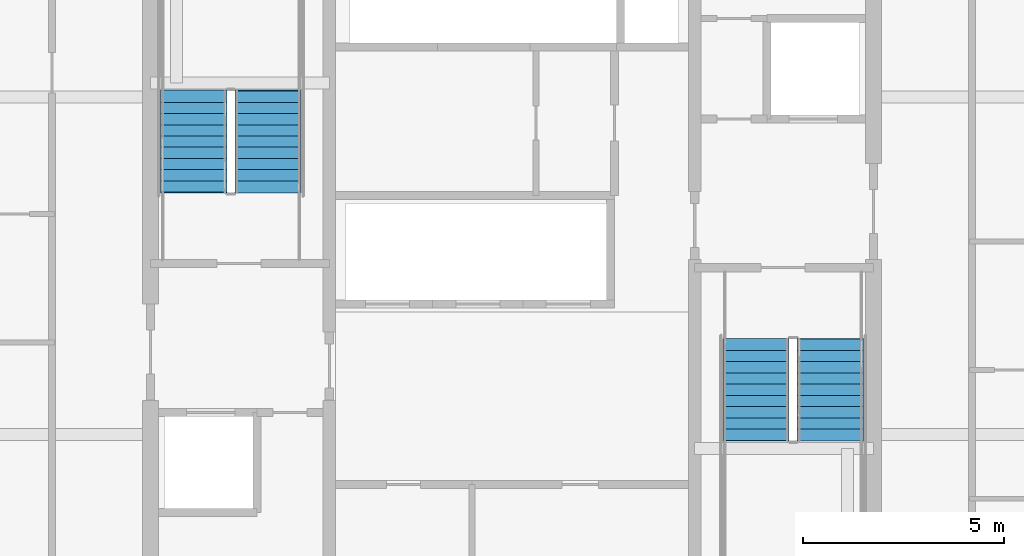
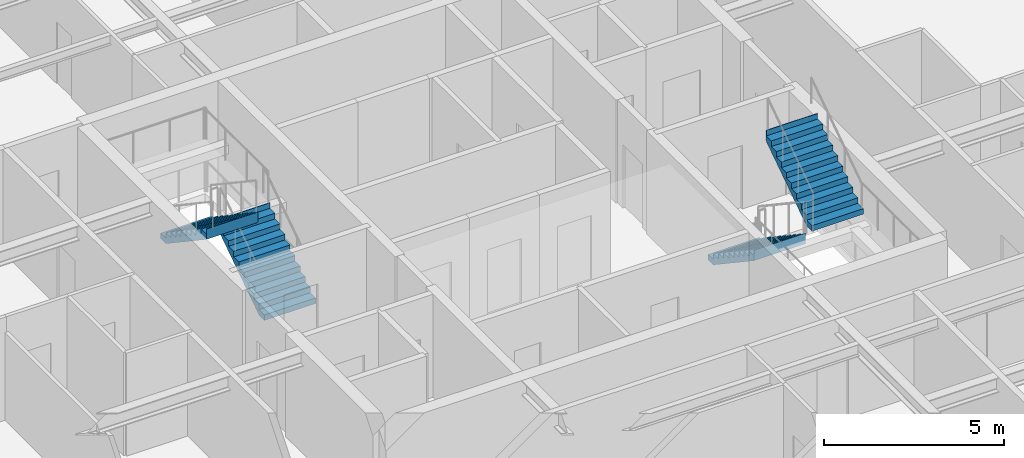
# One storey, part 32 of 37: 4 stair flights, 2 elements without a shape of their own.
"""IFC4 building model written with IfcOpenShell, lengths in metres."""

from ifc_helpers import new_model, si_unit, direction, frame, origin, place, context, subcontext, project, spatial, polygons, material, type_object, element, aggregate, save


model = new_model("IFC4")

# Units and contexts
model_context = context("Model", 3, precision=1e-05, world=origin(), true_north=direction((0.0, 1.0)))
body_context = subcontext(model_context, "Body", "Model", "MODEL_VIEW")
ifc_project = project(units=[si_unit("LENGTHUNIT", "METRE"), si_unit("AREAUNIT", "SQUARE_METRE"), si_unit("VOLUMEUNIT", "CUBIC_METRE"), si_unit("PLANEANGLEUNIT", "RADIAN"), si_unit("MASSUNIT", "GRAM", prefix="KILO")], contexts=[model_context])

# Site, building, storey
site_placement = place(None, origin())
site = spatial("IfcSite", under=ifc_project, at=site_placement, CompositionType="ELEMENT")
building_placement = place(site_placement, origin())
building = spatial("IfcBuilding", under=site, at=building_placement, Name="Serunith Strait Residences", CompositionType="ELEMENT")
storey_placement = place(building_placement, frame((0.0, 0.0, 161.39990234375)))
storey = spatial("IfcBuildingStorey", under=building, at=storey_placement, Name="L40", CompositionType="ELEMENT", Elevation=161.39990234375)

# Stair, stair flights
ifc_material = material(Name="Concrete C50/60", Category="concrete")
stair_type_1 = type_object("IfcStairType", Name="STR-CORE-1", PredefinedType="HALF_TURN_STAIR", material=ifc_material)
stair_1_placement = place(storey_placement, origin())
stair_1 = element("IfcStair", 1, at=stair_1_placement, inside=storey, type_object=stair_type_1, Name="L40 Protected Escape Stair ST-1", PredefinedType="HALF_TURN_STAIR")
stair_flight_type_1 = type_object("IfcStairFlightType", Name="FLT-CORE-1", PredefinedType="STRAIGHT", material=ifc_material)
stair_flight_1_placement = place(storey_placement, frame((26.324951171875, 27.030029296875, 0.0), z_axis=(0.0, 0.0, 1.0), x_axis=(0.0, 1.0, 0.0)))
stair_flight_1 = element("IfcStairFlight", 2, at=stair_flight_1_placement, type_object=stair_flight_type_1, Name="ST-1 flight 1", NumberOfRisers=10, NumberOfTreads=9, PredefinedType="STRAIGHT", RiserHeight=0.1875, TreadLength=0.28, context=body_context, shape_type="Tessellation", body=[
    polygons([(-0.02001953125, -0.824951171875, 0.0), (-0.02001953125, -0.824951171875, 0.1875), (0.280029296875, -0.824951171875, 0.1875), (0.280029296875, -0.824951171875, 0.375), (0.56005859375, -0.824951171875, 0.375), (0.56005859375, -0.824951171875, 0.5625), (0.840087890625, -0.824951171875, 0.5625), (0.840087890625, -0.824951171875, 0.75), (1.1201171875, -0.824951171875, 0.75), (1.1201171875, -0.824951171875, 0.9375), (1.39990234375, -0.824951171875, 0.9375), (1.39990234375, -0.824951171875, 1.125), (1.679931640625, -0.824951171875, 1.125), (1.679931640625, -0.824951171875, 1.3125), (1.9599609375, -0.824951171875, 1.3125), (1.9599609375, -0.824951171875, 1.5), (2.239990234375, -0.824951171875, 1.5), (2.239990234375, -0.824951171875, 1.6875), (2.52001953125, -0.824951171875, 1.6875), (2.52001953125, -0.824951171875, 1.875), (2.5400390625, -0.824951171875, 1.875), (2.5400390625, -0.824951171875, 1.81494140625), (2.52001953125, -0.824951171875, 1.507080078125), (0.26953125, -0.824951171875, 0.0), (-0.02001953125, -0.41259765625, 0.0), (-0.02001953125, -0.41259765625, 0.1875), (0.280029296875, -0.41259765625, 0.1875), (0.280029296875, -0.41259765625, 0.375), (0.56005859375, -0.41259765625, 0.375), (0.56005859375, -0.41259765625, 0.5625), (0.840087890625, -0.41259765625, 0.5625), (0.840087890625, -0.41259765625, 0.75), (1.1201171875, -0.41259765625, 0.75), (1.1201171875, -0.41259765625, 0.9375), (1.39990234375, -0.41259765625, 0.9375), (1.39990234375, -0.41259765625, 1.125), (1.679931640625, -0.41259765625, 1.125), (1.679931640625, -0.41259765625, 1.3125), (1.9599609375, -0.41259765625, 1.3125), (1.9599609375, -0.41259765625, 1.5), (2.239990234375, -0.41259765625, 1.5), (2.239990234375, -0.41259765625, 1.6875), (2.52001953125, -0.41259765625, 1.6875), (2.52001953125, -0.41259765625, 1.875), (2.5400390625, -0.41259765625, 1.875), (2.5400390625, -0.41259765625, 1.81494140625), (2.52001953125, -0.41259765625, 1.507080078125), (0.26953125, -0.41259765625, 0.0), (-0.02001953125, 0.0, 0.0), (-0.02001953125, 0.0, 0.1875), (0.280029296875, 0.0, 0.1875), (0.280029296875, 0.0, 0.375), (0.56005859375, 0.0, 0.375), (0.56005859375, 0.0, 0.5625), (0.840087890625, 0.0, 0.5625), (0.840087890625, 0.0, 0.75), (1.1201171875, 0.0, 0.75), (1.1201171875, 0.0, 0.9375), (1.39990234375, 0.0, 0.9375), (1.39990234375, 0.0, 1.125), (1.679931640625, 0.0, 1.125), (1.679931640625, 0.0, 1.3125), (1.9599609375, 0.0, 1.3125), (1.9599609375, 0.0, 1.5), (2.239990234375, 0.0, 1.5), (2.239990234375, 0.0, 1.6875), (2.52001953125, 0.0, 1.6875), (2.52001953125, 0.0, 1.875), (2.5400390625, 0.0, 1.875), (2.5400390625, 0.0, 1.81494140625), (2.52001953125, 0.0, 1.507080078125), (0.26953125, 0.0, 0.0), (-0.02001953125, 0.41259765625, 0.0), (-0.02001953125, 0.41259765625, 0.1875), (0.280029296875, 0.41259765625, 0.1875), (0.280029296875, 0.41259765625, 0.375), (0.56005859375, 0.41259765625, 0.375), (0.56005859375, 0.41259765625, 0.5625), (0.840087890625, 0.41259765625, 0.5625), (0.840087890625, 0.41259765625, 0.75), (1.1201171875, 0.41259765625, 0.75), (1.1201171875, 0.41259765625, 0.9375), (1.39990234375, 0.41259765625, 0.9375), (1.39990234375, 0.41259765625, 1.125), (1.679931640625, 0.41259765625, 1.125), (1.679931640625, 0.41259765625, 1.3125), (1.9599609375, 0.41259765625, 1.3125), (1.9599609375, 0.41259765625, 1.5), (2.239990234375, 0.41259765625, 1.5), (2.239990234375, 0.41259765625, 1.6875), (2.52001953125, 0.41259765625, 1.6875), (2.52001953125, 0.41259765625, 1.875), (2.5400390625, 0.41259765625, 1.875), (2.5400390625, 0.41259765625, 1.81494140625), (2.52001953125, 0.41259765625, 1.507080078125), (0.26953125, 0.41259765625, 0.0), (-0.02001953125, 0.824951171875, 0.0), (-0.02001953125, 0.824951171875, 0.1875), (0.280029296875, 0.824951171875, 0.1875), (0.280029296875, 0.824951171875, 0.375), (0.56005859375, 0.824951171875, 0.375), (0.56005859375, 0.824951171875, 0.5625), (0.840087890625, 0.824951171875, 0.5625), (0.840087890625, 0.824951171875, 0.75), (1.1201171875, 0.824951171875, 0.75), (1.1201171875, 0.824951171875, 0.9375), (1.39990234375, 0.824951171875, 0.9375), (1.39990234375, 0.824951171875, 1.125), (1.679931640625, 0.824951171875, 1.125), (1.679931640625, 0.824951171875, 1.3125), (1.9599609375, 0.824951171875, 1.3125), (1.9599609375, 0.824951171875, 1.5), (2.239990234375, 0.824951171875, 1.5), (2.239990234375, 0.824951171875, 1.6875), (2.52001953125, 0.824951171875, 1.6875), (2.52001953125, 0.824951171875, 1.875), (2.5400390625, 0.824951171875, 1.875), (2.5400390625, 0.824951171875, 1.81494140625), (2.52001953125, 0.824951171875, 1.507080078125), (0.26953125, 0.824951171875, 0.0)], [[[1, 2, 26, 25]], [[2, 3, 27, 26]], [[3, 4, 28, 27]], [[4, 5, 29, 28]], [[5, 6, 30, 29]], [[6, 7, 31, 30]], [[7, 8, 32, 31]], [[8, 9, 33, 32]], [[9, 10, 34, 33]], [[10, 11, 35, 34]], [[11, 12, 36, 35]], [[12, 13, 37, 36]], [[13, 14, 38, 37]], [[14, 15, 39, 38]], [[15, 16, 40, 39]], [[16, 17, 41, 40]], [[17, 18, 42, 41]], [[18, 19, 43, 42]], [[19, 20, 44, 43]], [[20, 21, 45, 44]], [[21, 22, 46, 45]], [[22, 23, 47, 46]], [[23, 24, 48, 47]], [[24, 1, 25, 48]], [[25, 26, 50, 49]], [[26, 27, 51, 50]], [[27, 28, 52, 51]], [[28, 29, 53, 52]], [[29, 30, 54, 53]], [[30, 31, 55, 54]], [[31, 32, 56, 55]], [[32, 33, 57, 56]], [[33, 34, 58, 57]], [[34, 35, 59, 58]], [[35, 36, 60, 59]], [[36, 37, 61, 60]], [[37, 38, 62, 61]], [[38, 39, 63, 62]], [[39, 40, 64, 63]], [[40, 41, 65, 64]], [[41, 42, 66, 65]], [[42, 43, 67, 66]], [[43, 44, 68, 67]], [[44, 45, 69, 68]], [[45, 46, 70, 69]], [[46, 47, 71, 70]], [[47, 48, 72, 71]], [[48, 25, 49, 72]], [[49, 50, 74, 73]], [[50, 51, 75, 74]], [[51, 52, 76, 75]], [[52, 53, 77, 76]], [[53, 54, 78, 77]], [[54, 55, 79, 78]], [[55, 56, 80, 79]], [[56, 57, 81, 80]], [[57, 58, 82, 81]], [[58, 59, 83, 82]], [[59, 60, 84, 83]], [[60, 61, 85, 84]], [[61, 62, 86, 85]], [[62, 63, 87, 86]], [[63, 64, 88, 87]], [[64, 65, 89, 88]], [[65, 66, 90, 89]], [[66, 67, 91, 90]], [[67, 68, 92, 91]], [[68, 69, 93, 92]], [[69, 70, 94, 93]], [[70, 71, 95, 94]], [[71, 72, 96, 95]], [[72, 49, 73, 96]], [[73, 74, 98, 97]], [[74, 75, 99, 98]], [[75, 76, 100, 99]], [[76, 77, 101, 100]], [[77, 78, 102, 101]], [[78, 79, 103, 102]], [[79, 80, 104, 103]], [[80, 81, 105, 104]], [[81, 82, 106, 105]], [[82, 83, 107, 106]], [[83, 84, 108, 107]], [[84, 85, 109, 108]], [[85, 86, 110, 109]], [[86, 87, 111, 110]], [[87, 88, 112, 111]], [[88, 89, 113, 112]], [[89, 90, 114, 113]], [[90, 91, 115, 114]], [[91, 92, 116, 115]], [[92, 93, 117, 116]], [[93, 94, 118, 117]], [[94, 95, 119, 118]], [[95, 96, 120, 119]], [[96, 73, 97, 120]], [[24, 23, 22, 21, 20, 19, 18, 17, 16, 15, 14, 13, 12, 11, 10, 9, 8, 7, 6, 5, 4, 3, 2, 1]], [[97, 98, 99, 100, 101, 102, 103, 104, 105, 106, 107, 108, 109, 110, 111, 112, 113, 114, 115, 116, 117, 118, 119, 120]]], closed=True),
])
stair_flight_2_placement = place(storey_placement, frame((24.47509765625, 29.550048828125, 1.875), z_axis=(0.0, 0.0, 1.0), x_axis=(0.0, -1.0, 0.0)))
stair_flight_2 = element("IfcStairFlight", 3, at=stair_flight_2_placement, type_object=stair_flight_type_1, Name="ST-1 flight 2", NumberOfRisers=10, NumberOfTreads=9, PredefinedType="STRAIGHT", RiserHeight=0.1875, TreadLength=0.28, context=body_context, shape_type="Tessellation", body=[
    polygons([(-0.02001953125, -0.824951171875, 0.0), (-0.02001953125, -0.824951171875, 0.1875), (0.280029296875, -0.824951171875, 0.1875), (0.280029296875, -0.824951171875, 0.375), (0.56005859375, -0.824951171875, 0.375), (0.56005859375, -0.824951171875, 0.5625), (0.840087890625, -0.824951171875, 0.5625), (0.840087890625, -0.824951171875, 0.75), (1.1201171875, -0.824951171875, 0.75), (1.1201171875, -0.824951171875, 0.9375), (1.39990234375, -0.824951171875, 0.9375), (1.39990234375, -0.824951171875, 1.125), (1.679931640625, -0.824951171875, 1.125), (1.679931640625, -0.824951171875, 1.3125), (1.9599609375, -0.824951171875, 1.3125), (1.9599609375, -0.824951171875, 1.5), (2.239990234375, -0.824951171875, 1.5), (2.239990234375, -0.824951171875, 1.6875), (2.52001953125, -0.824951171875, 1.6875), (2.52001953125, -0.824951171875, 1.875), (2.5400390625, -0.824951171875, 1.875), (2.5400390625, -0.824951171875, 1.81494140625), (2.52001953125, -0.824951171875, 1.507080078125), (0.26953125, -0.824951171875, 0.0), (-0.02001953125, -0.41259765625, 0.0), (-0.02001953125, -0.41259765625, 0.1875), (0.280029296875, -0.41259765625, 0.1875), (0.280029296875, -0.41259765625, 0.375), (0.56005859375, -0.41259765625, 0.375), (0.56005859375, -0.41259765625, 0.5625), (0.840087890625, -0.41259765625, 0.5625), (0.840087890625, -0.41259765625, 0.75), (1.1201171875, -0.41259765625, 0.75), (1.1201171875, -0.41259765625, 0.9375), (1.39990234375, -0.41259765625, 0.9375), (1.39990234375, -0.41259765625, 1.125), (1.679931640625, -0.41259765625, 1.125), (1.679931640625, -0.41259765625, 1.3125), (1.9599609375, -0.41259765625, 1.3125), (1.9599609375, -0.41259765625, 1.5), (2.239990234375, -0.41259765625, 1.5), (2.239990234375, -0.41259765625, 1.6875), (2.52001953125, -0.41259765625, 1.6875), (2.52001953125, -0.41259765625, 1.875), (2.5400390625, -0.41259765625, 1.875), (2.5400390625, -0.41259765625, 1.81494140625), (2.52001953125, -0.41259765625, 1.507080078125), (0.26953125, -0.41259765625, 0.0), (-0.02001953125, 0.0, 0.0), (-0.02001953125, 0.0, 0.1875), (0.280029296875, 0.0, 0.1875), (0.280029296875, 0.0, 0.375), (0.56005859375, 0.0, 0.375), (0.56005859375, 0.0, 0.5625), (0.840087890625, 0.0, 0.5625), (0.840087890625, 0.0, 0.75), (1.1201171875, 0.0, 0.75), (1.1201171875, 0.0, 0.9375), (1.39990234375, 0.0, 0.9375), (1.39990234375, 0.0, 1.125), (1.679931640625, 0.0, 1.125), (1.679931640625, 0.0, 1.3125), (1.9599609375, 0.0, 1.3125), (1.9599609375, 0.0, 1.5), (2.239990234375, 0.0, 1.5), (2.239990234375, 0.0, 1.6875), (2.52001953125, 0.0, 1.6875), (2.52001953125, 0.0, 1.875), (2.5400390625, 0.0, 1.875), (2.5400390625, 0.0, 1.81494140625), (2.52001953125, 0.0, 1.507080078125), (0.26953125, 0.0, 0.0), (-0.02001953125, 0.41259765625, 0.0), (-0.02001953125, 0.41259765625, 0.1875), (0.280029296875, 0.41259765625, 0.1875), (0.280029296875, 0.41259765625, 0.375), (0.56005859375, 0.41259765625, 0.375), (0.56005859375, 0.41259765625, 0.5625), (0.840087890625, 0.41259765625, 0.5625), (0.840087890625, 0.41259765625, 0.75), (1.1201171875, 0.41259765625, 0.75), (1.1201171875, 0.41259765625, 0.9375), (1.39990234375, 0.41259765625, 0.9375), (1.39990234375, 0.41259765625, 1.125), (1.679931640625, 0.41259765625, 1.125), (1.679931640625, 0.41259765625, 1.3125), (1.9599609375, 0.41259765625, 1.3125), (1.9599609375, 0.41259765625, 1.5), (2.239990234375, 0.41259765625, 1.5), (2.239990234375, 0.41259765625, 1.6875), (2.52001953125, 0.41259765625, 1.6875), (2.52001953125, 0.41259765625, 1.875), (2.5400390625, 0.41259765625, 1.875), (2.5400390625, 0.41259765625, 1.81494140625), (2.52001953125, 0.41259765625, 1.507080078125), (0.26953125, 0.41259765625, 0.0), (-0.02001953125, 0.824951171875, 0.0), (-0.02001953125, 0.824951171875, 0.1875), (0.280029296875, 0.824951171875, 0.1875), (0.280029296875, 0.824951171875, 0.375), (0.56005859375, 0.824951171875, 0.375), (0.56005859375, 0.824951171875, 0.5625), (0.840087890625, 0.824951171875, 0.5625), (0.840087890625, 0.824951171875, 0.75), (1.1201171875, 0.824951171875, 0.75), (1.1201171875, 0.824951171875, 0.9375), (1.39990234375, 0.824951171875, 0.9375), (1.39990234375, 0.824951171875, 1.125), (1.679931640625, 0.824951171875, 1.125), (1.679931640625, 0.824951171875, 1.3125), (1.9599609375, 0.824951171875, 1.3125), (1.9599609375, 0.824951171875, 1.5), (2.239990234375, 0.824951171875, 1.5), (2.239990234375, 0.824951171875, 1.6875), (2.52001953125, 0.824951171875, 1.6875), (2.52001953125, 0.824951171875, 1.875), (2.5400390625, 0.824951171875, 1.875), (2.5400390625, 0.824951171875, 1.81494140625), (2.52001953125, 0.824951171875, 1.507080078125), (0.26953125, 0.824951171875, 0.0)], [[[1, 2, 26, 25]], [[2, 3, 27, 26]], [[3, 4, 28, 27]], [[4, 5, 29, 28]], [[5, 6, 30, 29]], [[6, 7, 31, 30]], [[7, 8, 32, 31]], [[8, 9, 33, 32]], [[9, 10, 34, 33]], [[10, 11, 35, 34]], [[11, 12, 36, 35]], [[12, 13, 37, 36]], [[13, 14, 38, 37]], [[14, 15, 39, 38]], [[15, 16, 40, 39]], [[16, 17, 41, 40]], [[17, 18, 42, 41]], [[18, 19, 43, 42]], [[19, 20, 44, 43]], [[20, 21, 45, 44]], [[21, 22, 46, 45]], [[22, 23, 47, 46]], [[23, 24, 48, 47]], [[24, 1, 25, 48]], [[25, 26, 50, 49]], [[26, 27, 51, 50]], [[27, 28, 52, 51]], [[28, 29, 53, 52]], [[29, 30, 54, 53]], [[30, 31, 55, 54]], [[31, 32, 56, 55]], [[32, 33, 57, 56]], [[33, 34, 58, 57]], [[34, 35, 59, 58]], [[35, 36, 60, 59]], [[36, 37, 61, 60]], [[37, 38, 62, 61]], [[38, 39, 63, 62]], [[39, 40, 64, 63]], [[40, 41, 65, 64]], [[41, 42, 66, 65]], [[42, 43, 67, 66]], [[43, 44, 68, 67]], [[44, 45, 69, 68]], [[45, 46, 70, 69]], [[46, 47, 71, 70]], [[47, 48, 72, 71]], [[48, 25, 49, 72]], [[49, 50, 74, 73]], [[50, 51, 75, 74]], [[51, 52, 76, 75]], [[52, 53, 77, 76]], [[53, 54, 78, 77]], [[54, 55, 79, 78]], [[55, 56, 80, 79]], [[56, 57, 81, 80]], [[57, 58, 82, 81]], [[58, 59, 83, 82]], [[59, 60, 84, 83]], [[60, 61, 85, 84]], [[61, 62, 86, 85]], [[62, 63, 87, 86]], [[63, 64, 88, 87]], [[64, 65, 89, 88]], [[65, 66, 90, 89]], [[66, 67, 91, 90]], [[67, 68, 92, 91]], [[68, 69, 93, 92]], [[69, 70, 94, 93]], [[70, 71, 95, 94]], [[71, 72, 96, 95]], [[72, 49, 73, 96]], [[73, 74, 98, 97]], [[74, 75, 99, 98]], [[75, 76, 100, 99]], [[76, 77, 101, 100]], [[77, 78, 102, 101]], [[78, 79, 103, 102]], [[79, 80, 104, 103]], [[80, 81, 105, 104]], [[81, 82, 106, 105]], [[82, 83, 107, 106]], [[83, 84, 108, 107]], [[84, 85, 109, 108]], [[85, 86, 110, 109]], [[86, 87, 111, 110]], [[87, 88, 112, 111]], [[88, 89, 113, 112]], [[89, 90, 114, 113]], [[90, 91, 115, 114]], [[91, 92, 116, 115]], [[92, 93, 117, 116]], [[93, 94, 118, 117]], [[94, 95, 119, 118]], [[95, 96, 120, 119]], [[96, 73, 97, 120]], [[24, 23, 22, 21, 20, 19, 18, 17, 16, 15, 14, 13, 12, 11, 10, 9, 8, 7, 6, 5, 4, 3, 2, 1]], [[97, 98, 99, 100, 101, 102, 103, 104, 105, 106, 107, 108, 109, 110, 111, 112, 113, 114, 115, 116, 117, 118, 119, 120]]], closed=True),
])
aggregate(stair_1, [stair_flight_1, stair_flight_2])

stair_type_2 = type_object("IfcStairType", Name="STR-CORE-2", PredefinedType="HALF_TURN_STAIR", material=ifc_material)
stair_2_placement = place(storey_placement, origin())
stair_2 = element("IfcStair", 4, at=stair_2_placement, inside=storey, type_object=stair_type_2, Name="L40 Protected Escape Stair ST-2", PredefinedType="HALF_TURN_STAIR")
stair_flight_type_2 = type_object("IfcStairFlightType", Name="FLT-CORE-2", PredefinedType="STRAIGHT", material=ifc_material)
stair_flight_3_placement = place(storey_placement, frame((38.47509765625, 23.3701171875, 0.0), z_axis=(0.0, 0.0, 1.0), x_axis=(0.0, -1.0, 0.0)))
stair_flight_3 = element("IfcStairFlight", 5, at=stair_flight_3_placement, type_object=stair_flight_type_2, Name="ST-2 flight 1", NumberOfRisers=10, NumberOfTreads=9, PredefinedType="STRAIGHT", RiserHeight=0.1875, TreadLength=0.28, context=body_context, shape_type="Tessellation", body=[
    polygons([(-0.02001953125, -0.824951171875, 0.0), (-0.02001953125, -0.824951171875, 0.1875), (0.280029296875, -0.824951171875, 0.1875), (0.280029296875, -0.824951171875, 0.375), (0.56005859375, -0.824951171875, 0.375), (0.56005859375, -0.824951171875, 0.5625), (0.840087890625, -0.824951171875, 0.5625), (0.840087890625, -0.824951171875, 0.75), (1.1201171875, -0.824951171875, 0.75), (1.1201171875, -0.824951171875, 0.9375), (1.39990234375, -0.824951171875, 0.9375), (1.39990234375, -0.824951171875, 1.125), (1.679931640625, -0.824951171875, 1.125), (1.679931640625, -0.824951171875, 1.3125), (1.9599609375, -0.824951171875, 1.3125), (1.9599609375, -0.824951171875, 1.5), (2.239990234375, -0.824951171875, 1.5), (2.239990234375, -0.824951171875, 1.6875), (2.52001953125, -0.824951171875, 1.6875), (2.52001953125, -0.824951171875, 1.875), (2.5400390625, -0.824951171875, 1.875), (2.5400390625, -0.824951171875, 1.81494140625), (2.52001953125, -0.824951171875, 1.507080078125), (0.26953125, -0.824951171875, 0.0), (-0.02001953125, -0.41259765625, 0.0), (-0.02001953125, -0.41259765625, 0.1875), (0.280029296875, -0.41259765625, 0.1875), (0.280029296875, -0.41259765625, 0.375), (0.56005859375, -0.41259765625, 0.375), (0.56005859375, -0.41259765625, 0.5625), (0.840087890625, -0.41259765625, 0.5625), (0.840087890625, -0.41259765625, 0.75), (1.1201171875, -0.41259765625, 0.75), (1.1201171875, -0.41259765625, 0.9375), (1.39990234375, -0.41259765625, 0.9375), (1.39990234375, -0.41259765625, 1.125), (1.679931640625, -0.41259765625, 1.125), (1.679931640625, -0.41259765625, 1.3125), (1.9599609375, -0.41259765625, 1.3125), (1.9599609375, -0.41259765625, 1.5), (2.239990234375, -0.41259765625, 1.5), (2.239990234375, -0.41259765625, 1.6875), (2.52001953125, -0.41259765625, 1.6875), (2.52001953125, -0.41259765625, 1.875), (2.5400390625, -0.41259765625, 1.875), (2.5400390625, -0.41259765625, 1.81494140625), (2.52001953125, -0.41259765625, 1.507080078125), (0.26953125, -0.41259765625, 0.0), (-0.02001953125, 0.0, 0.0), (-0.02001953125, 0.0, 0.1875), (0.280029296875, 0.0, 0.1875), (0.280029296875, 0.0, 0.375), (0.56005859375, 0.0, 0.375), (0.56005859375, 0.0, 0.5625), (0.840087890625, 0.0, 0.5625), (0.840087890625, 0.0, 0.75), (1.1201171875, 0.0, 0.75), (1.1201171875, 0.0, 0.9375), (1.39990234375, 0.0, 0.9375), (1.39990234375, 0.0, 1.125), (1.679931640625, 0.0, 1.125), (1.679931640625, 0.0, 1.3125), (1.9599609375, 0.0, 1.3125), (1.9599609375, 0.0, 1.5), (2.239990234375, 0.0, 1.5), (2.239990234375, 0.0, 1.6875), (2.52001953125, 0.0, 1.6875), (2.52001953125, 0.0, 1.875), (2.5400390625, 0.0, 1.875), (2.5400390625, 0.0, 1.81494140625), (2.52001953125, 0.0, 1.507080078125), (0.26953125, 0.0, 0.0), (-0.02001953125, 0.41259765625, 0.0), (-0.02001953125, 0.41259765625, 0.1875), (0.280029296875, 0.41259765625, 0.1875), (0.280029296875, 0.41259765625, 0.375), (0.56005859375, 0.41259765625, 0.375), (0.56005859375, 0.41259765625, 0.5625), (0.840087890625, 0.41259765625, 0.5625), (0.840087890625, 0.41259765625, 0.75), (1.1201171875, 0.41259765625, 0.75), (1.1201171875, 0.41259765625, 0.9375), (1.39990234375, 0.41259765625, 0.9375), (1.39990234375, 0.41259765625, 1.125), (1.679931640625, 0.41259765625, 1.125), (1.679931640625, 0.41259765625, 1.3125), (1.9599609375, 0.41259765625, 1.3125), (1.9599609375, 0.41259765625, 1.5), (2.239990234375, 0.41259765625, 1.5), (2.239990234375, 0.41259765625, 1.6875), (2.52001953125, 0.41259765625, 1.6875), (2.52001953125, 0.41259765625, 1.875), (2.5400390625, 0.41259765625, 1.875), (2.5400390625, 0.41259765625, 1.81494140625), (2.52001953125, 0.41259765625, 1.507080078125), (0.26953125, 0.41259765625, 0.0), (-0.02001953125, 0.824951171875, 0.0), (-0.02001953125, 0.824951171875, 0.1875), (0.280029296875, 0.824951171875, 0.1875), (0.280029296875, 0.824951171875, 0.375), (0.56005859375, 0.824951171875, 0.375), (0.56005859375, 0.824951171875, 0.5625), (0.840087890625, 0.824951171875, 0.5625), (0.840087890625, 0.824951171875, 0.75), (1.1201171875, 0.824951171875, 0.75), (1.1201171875, 0.824951171875, 0.9375), (1.39990234375, 0.824951171875, 0.9375), (1.39990234375, 0.824951171875, 1.125), (1.679931640625, 0.824951171875, 1.125), (1.679931640625, 0.824951171875, 1.3125), (1.9599609375, 0.824951171875, 1.3125), (1.9599609375, 0.824951171875, 1.5), (2.239990234375, 0.824951171875, 1.5), (2.239990234375, 0.824951171875, 1.6875), (2.52001953125, 0.824951171875, 1.6875), (2.52001953125, 0.824951171875, 1.875), (2.5400390625, 0.824951171875, 1.875), (2.5400390625, 0.824951171875, 1.81494140625), (2.52001953125, 0.824951171875, 1.507080078125), (0.26953125, 0.824951171875, 0.0)], [[[1, 2, 26, 25]], [[2, 3, 27, 26]], [[3, 4, 28, 27]], [[4, 5, 29, 28]], [[5, 6, 30, 29]], [[6, 7, 31, 30]], [[7, 8, 32, 31]], [[8, 9, 33, 32]], [[9, 10, 34, 33]], [[10, 11, 35, 34]], [[11, 12, 36, 35]], [[12, 13, 37, 36]], [[13, 14, 38, 37]], [[14, 15, 39, 38]], [[15, 16, 40, 39]], [[16, 17, 41, 40]], [[17, 18, 42, 41]], [[18, 19, 43, 42]], [[19, 20, 44, 43]], [[20, 21, 45, 44]], [[21, 22, 46, 45]], [[22, 23, 47, 46]], [[23, 24, 48, 47]], [[24, 1, 25, 48]], [[25, 26, 50, 49]], [[26, 27, 51, 50]], [[27, 28, 52, 51]], [[28, 29, 53, 52]], [[29, 30, 54, 53]], [[30, 31, 55, 54]], [[31, 32, 56, 55]], [[32, 33, 57, 56]], [[33, 34, 58, 57]], [[34, 35, 59, 58]], [[35, 36, 60, 59]], [[36, 37, 61, 60]], [[37, 38, 62, 61]], [[38, 39, 63, 62]], [[39, 40, 64, 63]], [[40, 41, 65, 64]], [[41, 42, 66, 65]], [[42, 43, 67, 66]], [[43, 44, 68, 67]], [[44, 45, 69, 68]], [[45, 46, 70, 69]], [[46, 47, 71, 70]], [[47, 48, 72, 71]], [[48, 25, 49, 72]], [[49, 50, 74, 73]], [[50, 51, 75, 74]], [[51, 52, 76, 75]], [[52, 53, 77, 76]], [[53, 54, 78, 77]], [[54, 55, 79, 78]], [[55, 56, 80, 79]], [[56, 57, 81, 80]], [[57, 58, 82, 81]], [[58, 59, 83, 82]], [[59, 60, 84, 83]], [[60, 61, 85, 84]], [[61, 62, 86, 85]], [[62, 63, 87, 86]], [[63, 64, 88, 87]], [[64, 65, 89, 88]], [[65, 66, 90, 89]], [[66, 67, 91, 90]], [[67, 68, 92, 91]], [[68, 69, 93, 92]], [[69, 70, 94, 93]], [[70, 71, 95, 94]], [[71, 72, 96, 95]], [[72, 49, 73, 96]], [[73, 74, 98, 97]], [[74, 75, 99, 98]], [[75, 76, 100, 99]], [[76, 77, 101, 100]], [[77, 78, 102, 101]], [[78, 79, 103, 102]], [[79, 80, 104, 103]], [[80, 81, 105, 104]], [[81, 82, 106, 105]], [[82, 83, 107, 106]], [[83, 84, 108, 107]], [[84, 85, 109, 108]], [[85, 86, 110, 109]], [[86, 87, 111, 110]], [[87, 88, 112, 111]], [[88, 89, 113, 112]], [[89, 90, 114, 113]], [[90, 91, 115, 114]], [[91, 92, 116, 115]], [[92, 93, 117, 116]], [[93, 94, 118, 117]], [[94, 95, 119, 118]], [[95, 96, 120, 119]], [[96, 73, 97, 120]], [[24, 23, 22, 21, 20, 19, 18, 17, 16, 15, 14, 13, 12, 11, 10, 9, 8, 7, 6, 5, 4, 3, 2, 1]], [[97, 98, 99, 100, 101, 102, 103, 104, 105, 106, 107, 108, 109, 110, 111, 112, 113, 114, 115, 116, 117, 118, 119, 120]]], closed=True),
])
stair_flight_4_placement = place(storey_placement, frame((40.324951171875, 20.85009765625, 1.875), z_axis=(0.0, 0.0, 1.0), x_axis=(0.0, 1.0, 0.0)))
stair_flight_4 = element("IfcStairFlight", 6, at=stair_flight_4_placement, type_object=stair_flight_type_2, Name="ST-2 flight 2", NumberOfRisers=10, NumberOfTreads=9, PredefinedType="STRAIGHT", RiserHeight=0.1875, TreadLength=0.28, context=body_context, shape_type="Tessellation", body=[
    polygons([(-0.02001953125, -0.824951171875, 0.0), (-0.02001953125, -0.824951171875, 0.1875), (0.280029296875, -0.824951171875, 0.1875), (0.280029296875, -0.824951171875, 0.375), (0.56005859375, -0.824951171875, 0.375), (0.56005859375, -0.824951171875, 0.5625), (0.840087890625, -0.824951171875, 0.5625), (0.840087890625, -0.824951171875, 0.75), (1.1201171875, -0.824951171875, 0.75), (1.1201171875, -0.824951171875, 0.9375), (1.39990234375, -0.824951171875, 0.9375), (1.39990234375, -0.824951171875, 1.125), (1.679931640625, -0.824951171875, 1.125), (1.679931640625, -0.824951171875, 1.3125), (1.9599609375, -0.824951171875, 1.3125), (1.9599609375, -0.824951171875, 1.5), (2.239990234375, -0.824951171875, 1.5), (2.239990234375, -0.824951171875, 1.6875), (2.52001953125, -0.824951171875, 1.6875), (2.52001953125, -0.824951171875, 1.875), (2.5400390625, -0.824951171875, 1.875), (2.5400390625, -0.824951171875, 1.81494140625), (2.52001953125, -0.824951171875, 1.507080078125), (0.26953125, -0.824951171875, 0.0), (-0.02001953125, -0.41259765625, 0.0), (-0.02001953125, -0.41259765625, 0.1875), (0.280029296875, -0.41259765625, 0.1875), (0.280029296875, -0.41259765625, 0.375), (0.56005859375, -0.41259765625, 0.375), (0.56005859375, -0.41259765625, 0.5625), (0.840087890625, -0.41259765625, 0.5625), (0.840087890625, -0.41259765625, 0.75), (1.1201171875, -0.41259765625, 0.75), (1.1201171875, -0.41259765625, 0.9375), (1.39990234375, -0.41259765625, 0.9375), (1.39990234375, -0.41259765625, 1.125), (1.679931640625, -0.41259765625, 1.125), (1.679931640625, -0.41259765625, 1.3125), (1.9599609375, -0.41259765625, 1.3125), (1.9599609375, -0.41259765625, 1.5), (2.239990234375, -0.41259765625, 1.5), (2.239990234375, -0.41259765625, 1.6875), (2.52001953125, -0.41259765625, 1.6875), (2.52001953125, -0.41259765625, 1.875), (2.5400390625, -0.41259765625, 1.875), (2.5400390625, -0.41259765625, 1.81494140625), (2.52001953125, -0.41259765625, 1.507080078125), (0.26953125, -0.41259765625, 0.0), (-0.02001953125, 0.0, 0.0), (-0.02001953125, 0.0, 0.1875), (0.280029296875, 0.0, 0.1875), (0.280029296875, 0.0, 0.375), (0.56005859375, 0.0, 0.375), (0.56005859375, 0.0, 0.5625), (0.840087890625, 0.0, 0.5625), (0.840087890625, 0.0, 0.75), (1.1201171875, 0.0, 0.75), (1.1201171875, 0.0, 0.9375), (1.39990234375, 0.0, 0.9375), (1.39990234375, 0.0, 1.125), (1.679931640625, 0.0, 1.125), (1.679931640625, 0.0, 1.3125), (1.9599609375, 0.0, 1.3125), (1.9599609375, 0.0, 1.5), (2.239990234375, 0.0, 1.5), (2.239990234375, 0.0, 1.6875), (2.52001953125, 0.0, 1.6875), (2.52001953125, 0.0, 1.875), (2.5400390625, 0.0, 1.875), (2.5400390625, 0.0, 1.81494140625), (2.52001953125, 0.0, 1.507080078125), (0.26953125, 0.0, 0.0), (-0.02001953125, 0.41259765625, 0.0), (-0.02001953125, 0.41259765625, 0.1875), (0.280029296875, 0.41259765625, 0.1875), (0.280029296875, 0.41259765625, 0.375), (0.56005859375, 0.41259765625, 0.375), (0.56005859375, 0.41259765625, 0.5625), (0.840087890625, 0.41259765625, 0.5625), (0.840087890625, 0.41259765625, 0.75), (1.1201171875, 0.41259765625, 0.75), (1.1201171875, 0.41259765625, 0.9375), (1.39990234375, 0.41259765625, 0.9375), (1.39990234375, 0.41259765625, 1.125), (1.679931640625, 0.41259765625, 1.125), (1.679931640625, 0.41259765625, 1.3125), (1.9599609375, 0.41259765625, 1.3125), (1.9599609375, 0.41259765625, 1.5), (2.239990234375, 0.41259765625, 1.5), (2.239990234375, 0.41259765625, 1.6875), (2.52001953125, 0.41259765625, 1.6875), (2.52001953125, 0.41259765625, 1.875), (2.5400390625, 0.41259765625, 1.875), (2.5400390625, 0.41259765625, 1.81494140625), (2.52001953125, 0.41259765625, 1.507080078125), (0.26953125, 0.41259765625, 0.0), (-0.02001953125, 0.824951171875, 0.0), (-0.02001953125, 0.824951171875, 0.1875), (0.280029296875, 0.824951171875, 0.1875), (0.280029296875, 0.824951171875, 0.375), (0.56005859375, 0.824951171875, 0.375), (0.56005859375, 0.824951171875, 0.5625), (0.840087890625, 0.824951171875, 0.5625), (0.840087890625, 0.824951171875, 0.75), (1.1201171875, 0.824951171875, 0.75), (1.1201171875, 0.824951171875, 0.9375), (1.39990234375, 0.824951171875, 0.9375), (1.39990234375, 0.824951171875, 1.125), (1.679931640625, 0.824951171875, 1.125), (1.679931640625, 0.824951171875, 1.3125), (1.9599609375, 0.824951171875, 1.3125), (1.9599609375, 0.824951171875, 1.5), (2.239990234375, 0.824951171875, 1.5), (2.239990234375, 0.824951171875, 1.6875), (2.52001953125, 0.824951171875, 1.6875), (2.52001953125, 0.824951171875, 1.875), (2.5400390625, 0.824951171875, 1.875), (2.5400390625, 0.824951171875, 1.81494140625), (2.52001953125, 0.824951171875, 1.507080078125), (0.26953125, 0.824951171875, 0.0)], [[[1, 2, 26, 25]], [[2, 3, 27, 26]], [[3, 4, 28, 27]], [[4, 5, 29, 28]], [[5, 6, 30, 29]], [[6, 7, 31, 30]], [[7, 8, 32, 31]], [[8, 9, 33, 32]], [[9, 10, 34, 33]], [[10, 11, 35, 34]], [[11, 12, 36, 35]], [[12, 13, 37, 36]], [[13, 14, 38, 37]], [[14, 15, 39, 38]], [[15, 16, 40, 39]], [[16, 17, 41, 40]], [[17, 18, 42, 41]], [[18, 19, 43, 42]], [[19, 20, 44, 43]], [[20, 21, 45, 44]], [[21, 22, 46, 45]], [[22, 23, 47, 46]], [[23, 24, 48, 47]], [[24, 1, 25, 48]], [[25, 26, 50, 49]], [[26, 27, 51, 50]], [[27, 28, 52, 51]], [[28, 29, 53, 52]], [[29, 30, 54, 53]], [[30, 31, 55, 54]], [[31, 32, 56, 55]], [[32, 33, 57, 56]], [[33, 34, 58, 57]], [[34, 35, 59, 58]], [[35, 36, 60, 59]], [[36, 37, 61, 60]], [[37, 38, 62, 61]], [[38, 39, 63, 62]], [[39, 40, 64, 63]], [[40, 41, 65, 64]], [[41, 42, 66, 65]], [[42, 43, 67, 66]], [[43, 44, 68, 67]], [[44, 45, 69, 68]], [[45, 46, 70, 69]], [[46, 47, 71, 70]], [[47, 48, 72, 71]], [[48, 25, 49, 72]], [[49, 50, 74, 73]], [[50, 51, 75, 74]], [[51, 52, 76, 75]], [[52, 53, 77, 76]], [[53, 54, 78, 77]], [[54, 55, 79, 78]], [[55, 56, 80, 79]], [[56, 57, 81, 80]], [[57, 58, 82, 81]], [[58, 59, 83, 82]], [[59, 60, 84, 83]], [[60, 61, 85, 84]], [[61, 62, 86, 85]], [[62, 63, 87, 86]], [[63, 64, 88, 87]], [[64, 65, 89, 88]], [[65, 66, 90, 89]], [[66, 67, 91, 90]], [[67, 68, 92, 91]], [[68, 69, 93, 92]], [[69, 70, 94, 93]], [[70, 71, 95, 94]], [[71, 72, 96, 95]], [[72, 49, 73, 96]], [[73, 74, 98, 97]], [[74, 75, 99, 98]], [[75, 76, 100, 99]], [[76, 77, 101, 100]], [[77, 78, 102, 101]], [[78, 79, 103, 102]], [[79, 80, 104, 103]], [[80, 81, 105, 104]], [[81, 82, 106, 105]], [[82, 83, 107, 106]], [[83, 84, 108, 107]], [[84, 85, 109, 108]], [[85, 86, 110, 109]], [[86, 87, 111, 110]], [[87, 88, 112, 111]], [[88, 89, 113, 112]], [[89, 90, 114, 113]], [[90, 91, 115, 114]], [[91, 92, 116, 115]], [[92, 93, 117, 116]], [[93, 94, 118, 117]], [[94, 95, 119, 118]], [[95, 96, 120, 119]], [[96, 73, 97, 120]], [[24, 23, 22, 21, 20, 19, 18, 17, 16, 15, 14, 13, 12, 11, 10, 9, 8, 7, 6, 5, 4, 3, 2, 1]], [[97, 98, 99, 100, 101, 102, 103, 104, 105, 106, 107, 108, 109, 110, 111, 112, 113, 114, 115, 116, 117, 118, 119, 120]]], closed=True),
])
aggregate(stair_2, [stair_flight_3, stair_flight_4])

save(model, "model.ifc")
